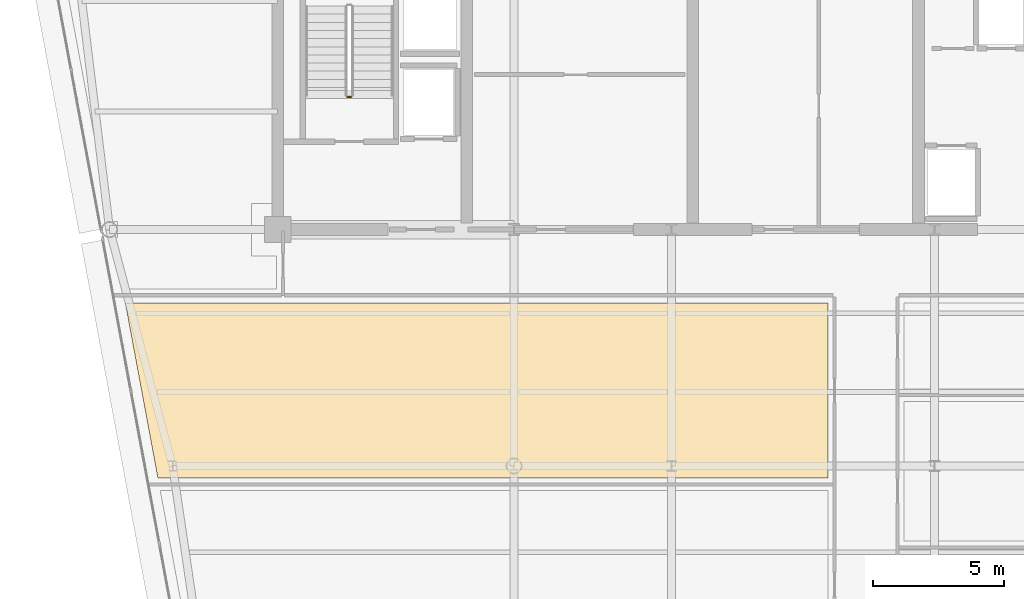
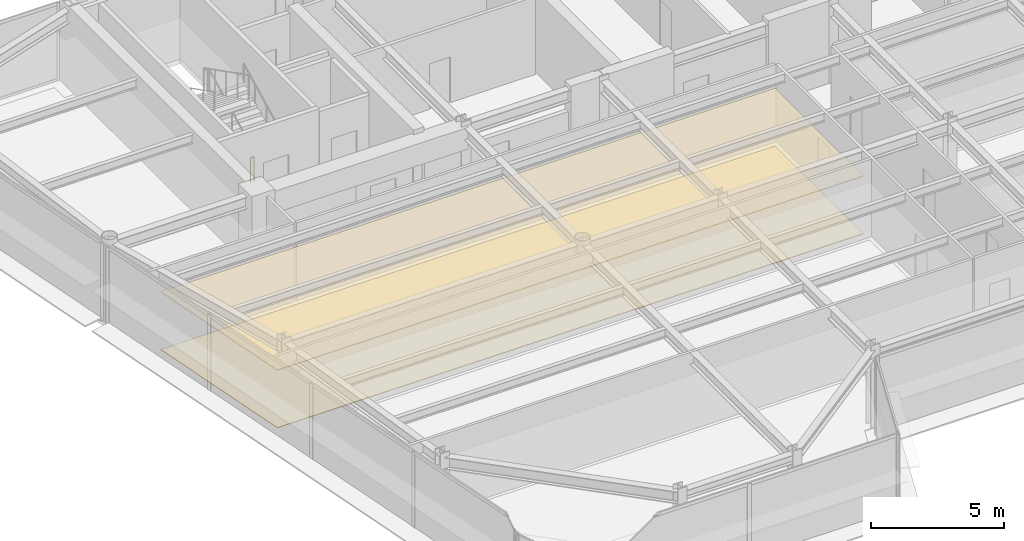
# One storey, part 13 of 18: 2 coverings, 1 railing.
"""IFC4 building model written with IfcOpenShell, lengths in metres."""

from ifc_helpers import new_model, si_unit, direction, frame, origin, origin_2d, place, context, subcontext, project, spatial, polyline, circle, outline, extrude, material, layer, layer_set, type_object, element, save


model = new_model("IFC4")

# Units and contexts
model_context = context("Model", 3, precision=1e-05, world=origin(), true_north=direction((0.0, 1.0)))
body_context = subcontext(model_context, "Body", "Model", "MODEL_VIEW")
ifc_project = project(units=[si_unit("LENGTHUNIT", "METRE"), si_unit("AREAUNIT", "SQUARE_METRE"), si_unit("VOLUMEUNIT", "CUBIC_METRE"), si_unit("PLANEANGLEUNIT", "RADIAN"), si_unit("MASSUNIT", "GRAM", prefix="KILO")], contexts=[model_context])

# Site, building, storey
site_placement = place(None, origin())
site = spatial("IfcSite", under=ifc_project, at=site_placement, CompositionType="ELEMENT")
building_placement = place(site_placement, origin())
building = spatial("IfcBuilding", under=site, at=building_placement, Name="Vaeldorn Concourse Tower", CompositionType="ELEMENT")
storey_placement = place(building_placement, frame((0.0, 0.0, 246.0)))
storey = spatial("IfcBuildingStorey", under=building, at=storey_placement, Name="L63", CompositionType="ELEMENT", Elevation=246.0)

# Coverings
ifc_material_1 = material(Name="Acoustic Mineral Fibre Board", Category="gypsum")
ifc_layer_1 = layer(ifc_material_1, 0.0400390625)
ifc_layer_set_1 = layer_set([ifc_layer_1], Name="Acoustic Mineral Fibre Board")
covering_type_1 = type_object("IfcCoveringType", Name="COV-CEIL-ACOUSTIC", PredefinedType="CEILING", material=ifc_layer_set_1)
covering_1_placement = place(storey_placement, frame((0.0, 0.0, 2.64990234375)))
element("IfcCovering", 1, at=covering_1_placement, inside=storey, type_object=covering_type_1, Name="Suspended Acoustic Ceiling L63-6", PredefinedType="CEILING", context=body_context, shape_type="SweptSolid", body=[
    extrude(outline(polyline([(34.9599609375, 33.699951171875), (34.9599609375, 27.0400390625), (9.43994140625, 27.0400390625), (8.199951171875, 33.699951171875), (34.9599609375, 33.699951171875)])), origin(), (0.0, 0.0, 1.0), 0.0400390625),
])
ifc_material_2 = material(Name="Honed Limestone Terrazzo Flooring", Category="masonry")
ifc_layer_2 = layer(ifc_material_2, 0.0400390625)
ifc_layer_set_2 = layer_set([ifc_layer_2], Name="Honed Limestone Terrazzo Flooring")
covering_type_2 = type_object("IfcCoveringType", Name="COV-FLOOR-STONE", PredefinedType="FLOORING", material=ifc_layer_set_2)
covering_2_placement = place(storey_placement, origin())
element("IfcCovering", 2, at=covering_2_placement, inside=storey, type_object=covering_type_2, Name="Floor Finish Covering L63-6", PredefinedType="FLOORING", context=body_context, shape_type="SweptSolid", body=[
    extrude(outline(polyline([(34.9599609375, 33.699951171875), (34.9599609375, 27.0400390625), (9.43994140625, 27.0400390625), (8.199951171875, 33.699951171875), (34.9599609375, 33.699951171875)])), origin(), (0.0, 0.0, 1.0), 0.030029296875),
])

# Railing
ifc_material_3 = material(Name="Anodised Bronze Aluminium", Category="aluminium")
railing_type = type_object("IfcRailingType", Name="RL-STAIR-GUARD", PredefinedType="GUARDRAIL", material=ifc_material_3)
railing_placement = place(storey_placement, frame((16.800048828125, 41.550048828125, 0.0)))
element("IfcRailing", 3, at=railing_placement, inside=storey, type_object=railing_type, Name="L63 ST-1 stair guard 4", PredefinedType="GUARDRAIL", context=body_context, shape_type="SweptSolid", body=[
    extrude(circle(Radius=0.02392578125, at=origin_2d()), frame((0.0, 0.0, 1.1259765625), z_axis=(-1.0, 0.0, 0.0), x_axis=(0.0, -1.0, 0.0)), (0.0, 0.0, 1.0), 0.150146484375),
    extrude(circle(Radius=0.02099609375, at=origin_2d()), origin(), (0.0, 0.0, 1.0), 1.101806640625),
    extrude(circle(Radius=0.02099609375, at=origin_2d()), frame((-0.150146484375, 0.0, 0.0)), (0.0, 0.0, 1.0), 1.101806640625),
])

save(model, "model.ifc")
